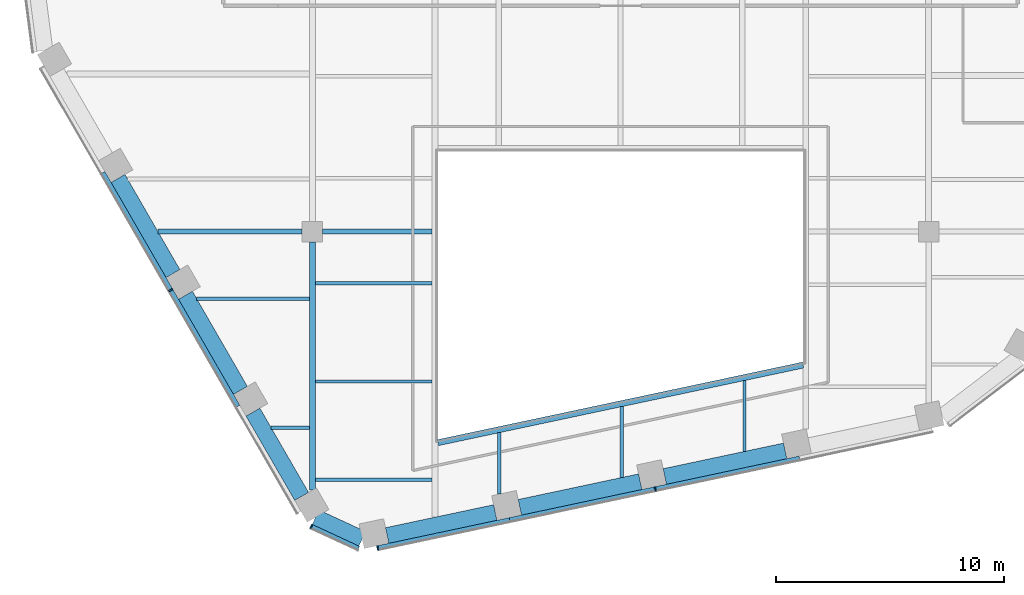
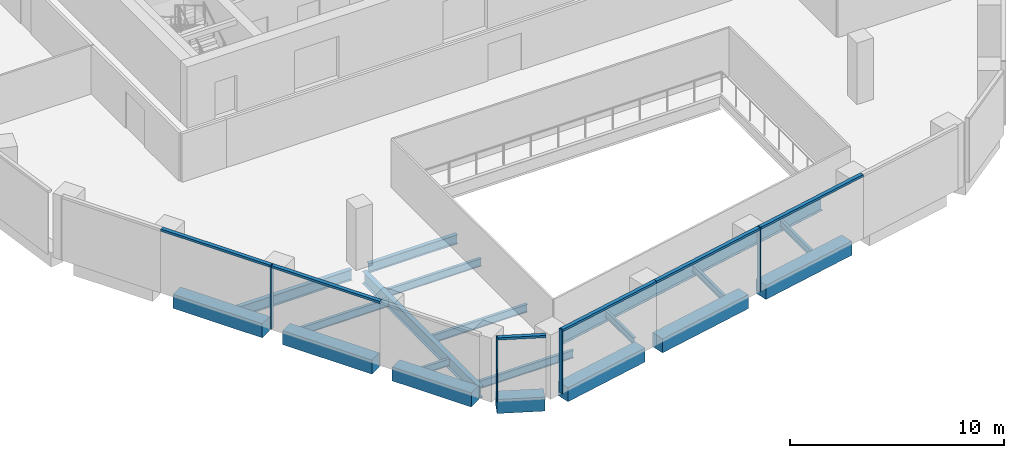
# One storey, part 2 of 15: 19 beams, 10 members, 3 elements without a shape of their own.
"""IFC4 building model written with IfcOpenShell, lengths in metres."""

import ifcopenshell
import ifcopenshell.guid

model = None  # the IFC model being written
_history = None  # IfcOwnerHistory: only IFC2X3 demands one
_inside = {}  # id of a spatial element -> (the spatial element, [elements in it])
_under = {}  # id of a project, library or spatial element -> (it, [spatial elements below it])
_declared = {}  # id of a project -> (the project, [libraries it declares])
_typed = {}  # id of a type object -> (the type object, [elements of that type])
_made_of = {}  # id of a material, layer set ... -> (it, [elements and type objects made of it])


def new_model(schema):
    """Start an empty IFC model of exactly this schema.

    Asked for "IFC4X3", IfcOpenShell would pick the latest addendum, in which some entities
    have other attributes; the version numbers below select the first issue.
    IFC2X3 requires an IfcOwnerHistory on every rooted entity: one is made here for all.
    """
    global model, _history
    if schema == "IFC4X3":
        model = ifcopenshell.file(schema_version=(4, 3, 0, 0))
    else:
        model = ifcopenshell.file(schema=schema)
    _inside.clear()
    _under.clear()
    _declared.clear()
    _typed.clear()
    _made_of.clear()
    _history = None
    if model.schema == "IFC2X3":
        org = make("IfcOrganization", Name="unknown")
        user = make(
            "IfcPersonAndOrganization",
            ThePerson=make("IfcPerson", FamilyName="unknown"),
            TheOrganization=org,
        )
        app = make(
            "IfcApplication",
            ApplicationDeveloper=org,
            Version="unknown",
            ApplicationFullName="unknown",
            ApplicationIdentifier="unknown",
        )
        _history = make(
            "IfcOwnerHistory",
            OwningUser=user,
            OwningApplication=app,
            ChangeAction="ADDED",
            CreationDate=0,
        )
    return model


def make(cls, **values):
    """One entity of the class cls with the attributes given. An attribute that is None is left unset."""
    return model.create_entity(
        cls, **{name: value for name, value in values.items() if value is not None}
    )


def rooted(cls, **values):
    """An entity with a GlobalId (a new one), such as an element, a storey or a relation."""
    return make(cls, GlobalId=ifcopenshell.guid.new(), OwnerHistory=_history, **values)


def si_unit(unit_type, name, prefix=None):
    """IfcSIUnit, for example si_unit("LENGTHUNIT", "METRE", prefix="MILLI")."""
    return make("IfcSIUnit", UnitType=unit_type, Prefix=prefix, Name=name)


def assignment(units):
    """IfcUnitAssignment: the units of a project."""
    return None if units is None else make("IfcUnitAssignment", Units=units)


def point(xyz):
    """IfcCartesianPoint."""
    return None if xyz is None else make("IfcCartesianPoint", Coordinates=xyz)


def direction(xyz):
    """IfcDirection."""
    return None if xyz is None else make("IfcDirection", DirectionRatios=xyz)


def frame(location, z_axis=None, x_axis=None):
    """IfcAxis2Placement3D, a coordinate frame: its origin and axes. An axis left out is left unset."""
    return make(
        "IfcAxis2Placement3D",
        Location=point(location),
        Axis=direction(z_axis),
        RefDirection=direction(x_axis),
    )


def frame_2d(location, x_axis=None):
    """IfcAxis2Placement2D, a coordinate frame in the plane: its origin and x axis."""
    return make(
        "IfcAxis2Placement2D", Location=point(location), RefDirection=direction(x_axis)
    )


def origin():
    """The frame at (0, 0, 0) with its axes left unset."""
    return frame((0.0, 0.0, 0.0))


def origin_2d():
    """The frame at (0, 0) in the plane with its x axis left unset."""
    return frame_2d((0.0, 0.0))


def place(relative_to, where):
    """IfcLocalPlacement: puts the frame where relative to a parent placement (None: the world)."""
    return make(
        "IfcLocalPlacement", PlacementRelTo=relative_to, RelativePlacement=where
    )


def context(
    kind, dimensions, precision=None, world=None, true_north=None, identifier=None
):
    """IfcGeometricRepresentationContext, for example the 3D "Model" context."""
    return make(
        "IfcGeometricRepresentationContext",
        ContextIdentifier=identifier,
        ContextType=kind,
        CoordinateSpaceDimension=dimensions,
        Precision=precision,
        WorldCoordinateSystem=world,
        TrueNorth=true_north,
    )


def subcontext(parent, identifier, kind, view, scale=None):
    """IfcGeometricRepresentationSubContext, for example "Body" below "Model"."""
    return make(
        "IfcGeometricRepresentationSubContext",
        ContextIdentifier=identifier,
        ContextType=kind,
        ParentContext=parent,
        TargetScale=scale,
        TargetView=view,
    )


def project(units=None, contexts=None):
    """IfcProject with its units and contexts."""
    return rooted(
        "IfcProject",
        Name="project",
        RepresentationContexts=contexts,
        UnitsInContext=assignment(units),
    )


def spatial(cls, under=None, at=None, **own):
    """A site, building, storey or space (cls), placed at a placement, below another one or the project."""
    s = rooted(cls, ObjectPlacement=at, **own)
    if under is not None:
        _under.setdefault(under.id(), (under, []))[1].append(s)
    return s


def profile(cls, at=None, kind="AREA", **sizes):
    """A parametric profile (cls). Its sizes go by their IFC names, for example OverallWidth=200.0."""
    return make(cls, ProfileType=kind, Position=at, **sizes)


def rectangle(**sizes):
    """IfcRectangleProfileDef."""
    return profile("IfcRectangleProfileDef", **sizes)


def i_section(**sizes):
    """IfcIShapeProfileDef."""
    return profile("IfcIShapeProfileDef", **sizes)


def extrude(swept, where, along, depth):
    """IfcExtrudedAreaSolid: the profile swept, set in the frame where, extruded along a direction by depth."""
    return make(
        "IfcExtrudedAreaSolid",
        SweptArea=swept,
        Position=where,
        ExtrudedDirection=direction(along),
        Depth=depth,
    )


def shape(context_of_items, identifier, shape_type, items):
    """IfcShapeRepresentation: the items that make up one representation, for example the "Body"."""
    return make(
        "IfcShapeRepresentation",
        ContextOfItems=context_of_items,
        RepresentationIdentifier=identifier,
        RepresentationType=shape_type,
        Items=items,
    )


def material(Name=None, Category=None):
    """IfcMaterial."""
    return make("IfcMaterial", Name=Name, Category=Category)


def layer(
    of_material, thickness, ventilated=None, Name=None, Category=None, Priority=None
):
    """IfcMaterialLayer: one layer of a wall or slab, of a material (None: an air gap)."""
    return make(
        "IfcMaterialLayer",
        Material=of_material,
        LayerThickness=thickness,
        IsVentilated=ventilated,
        Name=Name,
        Category=Category,
        Priority=Priority,
    )


def layer_set(layers, Name=None):
    """IfcMaterialLayerSet."""
    return make("IfcMaterialLayerSet", MaterialLayers=layers, LayerSetName=Name)


def material_profile(
    of_material, cross_section, Name=None, Category=None, Priority=None
):
    """IfcMaterialProfile: a cross section and its material."""
    return make(
        "IfcMaterialProfile",
        Name=Name,
        Material=of_material,
        Profile=cross_section,
        Priority=Priority,
        Category=Category,
    )


def profile_set(profiles, Name=None, composite=None):
    """IfcMaterialProfileSet."""
    return make(
        "IfcMaterialProfileSet",
        Name=Name,
        MaterialProfiles=profiles,
        CompositeProfile=composite,
    )


def made_of(thing, what):
    """Note that an element or type object is made of a material, layer set ...; save() writes the relation."""
    if what is not None:
        _made_of.setdefault(what.id(), (what, []))[1].append(thing)
    return thing


def type_object(cls, material=None, **own):
    """A type object (cls), such as IfcWallType, which elements share."""
    return made_of(rooted(cls, **own), material)


def element(
    cls,
    number,
    at=None,
    inside=None,
    cuts=None,
    type_object=None,
    material=None,
    context=None,
    identifier="Body",
    shape_type=None,
    held_by="IfcProductDefinitionShape",
    body=None,
    shapes=None,
    **own,
):
    """One element of the class cls, such as IfcWall. Its Tag is "e" and its number.

    at: its placement. inside: the storey or other place that contains it. cuts: it is an
    opening in that element (IfcRelVoidsElement). A single representation is given by context,
    identifier, shape_type and body (its items); several are given by shapes. held_by: the class
    of the entity that holds the representations. save() writes the other relations.
    """
    e = rooted(cls, Tag="e%d" % number, ObjectPlacement=at, **own)
    if body is not None:
        shapes = [shape(context, identifier, shape_type, body)]
    if shapes is not None:
        e.Representation = make(held_by, Representations=shapes)
    if inside is not None:
        _inside.setdefault(inside.id(), (inside, []))[1].append(e)
    if cuts is not None:
        rooted(
            "IfcRelVoidsElement", RelatingBuildingElement=cuts, RelatedOpeningElement=e
        )
    if type_object is not None:
        _typed.setdefault(type_object.id(), (type_object, []))[1].append(e)
    return made_of(e, material)


def aggregate(whole, parts):
    """IfcRelAggregates: a whole, such as a stair, and the parts it consists of."""
    return rooted("IfcRelAggregates", RelatingObject=whole, RelatedObjects=parts)


def save(model, path):
    """Write the relations noted so far, then the file.

    IfcRelAggregates (storeys below a building ...), IfcRelContainedInSpatialStructure (elements
    in a storey), IfcRelDefinesByType, IfcRelAssociatesMaterial and IfcRelDeclares: one each for
    every whole, place, type object, material and project.
    """
    for whole, parts in _under.values():
        aggregate(whole, parts)
    for where, things in _inside.values():
        rooted(
            "IfcRelContainedInSpatialStructure",
            RelatedElements=things,
            RelatingStructure=where,
        )
    for kind, things in _typed.values():
        rooted("IfcRelDefinesByType", RelatedObjects=things, RelatingType=kind)
    for what, things in _made_of.values():
        rooted("IfcRelAssociatesMaterial", RelatedObjects=things, RelatingMaterial=what)
    for by, libraries in _declared.values():
        rooted("IfcRelDeclares", RelatingContext=by, RelatedDefinitions=libraries)
    model.write(path)


model = new_model("IFC4")

# Units and contexts
model_context = context("Model", 3, precision=1e-05, world=origin(), true_north=direction((0.0, 1.0)))
body_context = subcontext(model_context, "Body", "Model", "MODEL_VIEW")
ifc_project = project(units=[si_unit("LENGTHUNIT", "METRE"), si_unit("AREAUNIT", "SQUARE_METRE"), si_unit("VOLUMEUNIT", "CUBIC_METRE"), si_unit("PLANEANGLEUNIT", "RADIAN"), si_unit("MASSUNIT", "GRAM", prefix="KILO")], contexts=[model_context])

# Site, building, storey
site_placement = place(None, origin())
site = spatial("IfcSite", under=ifc_project, at=site_placement, CompositionType="ELEMENT")
building_placement = place(site_placement, origin())
building = spatial("IfcBuilding", under=site, at=building_placement, Name="Isthmus Gate Tower", CompositionType="ELEMENT")
storey_placement = place(building_placement, frame((0.0, 0.0, 245.5)))
storey = spatial("IfcBuildingStorey", under=building, at=storey_placement, Name="L62", CompositionType="ELEMENT", Elevation=245.5)

# Curtain wall, member
ifc_material_1 = material(Name="Aluminium, pale champagne anodised", Category="aluminium")
ifc_layer = layer(ifc_material_1, 0.199951171875)
ifc_layer_set = layer_set([ifc_layer], Name="CW-1 UNITISED CURTAIN WALL 200 DEEP")
curtain_wall_type = type_object("IfcCurtainWallType", Name="CW-1 UNITISED CURTAIN WALL 200 DEEP", PredefinedType="NOTDEFINED", material=ifc_layer_set)
curtain_wall_1_placement = place(storey_placement, origin())
curtain_wall_1 = element("IfcCurtainWall", 1, at=curtain_wall_1_placement, inside=storey, type_object=curtain_wall_type, Name="CW-1 SW L62", PredefinedType="NOTDEFINED")
ifc_material_2 = material(Name="Aluminium, pale champagne anodised", Category="aluminium")
ifc_material_profile_1 = material_profile(ifc_material_2, rectangle(XDim=0.06005859375, YDim=0.199951171875, at=origin_2d()), Name="60x200")
ifc_profile_set_1 = profile_set([ifc_material_profile_1], Name="Aluminium, pale champagne anodised")
member_type_1 = type_object("IfcMemberType", Name="CW-1 MULLION 60 X 200", PredefinedType="MULLION", material=ifc_profile_set_1)
member_1_placement = place(storey_placement, frame((-19.707275390625, -16.066162109375, 0.0), z_axis=(0.0, 0.0, 1.0), x_axis=(0.5, -0.866025403784, 0.0)))
member_1 = element("IfcMember", 2, at=member_1_placement, type_object=member_type_1, Name="CW-1 mullion", PredefinedType="MULLION", context=body_context, shape_type="SweptSolid", body=[
    extrude(rectangle(XDim=0.06005859375, YDim=0.199951171875, at=origin_2d()), origin(), (0.0, 0.0, 1.0), 3.64990234375),
])

curtain_wall_2_placement = place(storey_placement, origin())
curtain_wall_2 = element("IfcCurtainWall", 3, at=curtain_wall_2_placement, inside=storey, type_object=curtain_wall_type, Name="CW-1 SW-S L62", PredefinedType="NOTDEFINED")
member_2_placement = place(storey_placement, frame((-13.54833984375, -26.419677734375, 0.0), z_axis=(0.0, 0.0, 1.0), x_axis=(0.907256261367, -0.420578264073, 0.0)))
member_2 = element("IfcMember", 4, at=member_2_placement, type_object=member_type_1, Name="CW-1 mullion", PredefinedType="MULLION", context=body_context, shape_type="SweptSolid", body=[
    extrude(rectangle(XDim=0.06005859375, YDim=0.199951171875, at=origin_2d()), origin(), (0.0, 0.0, 1.0), 3.64990234375),
])

# Curtain wall, members
curtain_wall_3_placement = place(storey_placement, origin())
curtain_wall_3 = element("IfcCurtainWall", 5, at=curtain_wall_3_placement, inside=storey, type_object=curtain_wall_type, Name="CW-1 S L62", PredefinedType="NOTDEFINED")
member_3_placement = place(storey_placement, frame((-10.6376953125, -27.36328125, 0.0), z_axis=(0.0, 0.0, 1.0), x_axis=(0.978147600734, 0.207911690818, 0.0)))
member_3 = element("IfcMember", 6, at=member_3_placement, type_object=member_type_1, Name="CW-1 mullion", PredefinedType="MULLION", context=body_context, shape_type="SweptSolid", body=[
    extrude(rectangle(XDim=0.06005859375, YDim=0.199951171875, at=origin_2d()), origin(), (0.0, 0.0, 1.0), 3.64990234375),
])
member_4_placement = place(storey_placement, frame((1.5244140625, -24.7783203125, 0.0), z_axis=(0.0, 0.0, 1.0), x_axis=(0.978147600734, 0.207911690818, 0.0)))
member_4 = element("IfcMember", 7, at=member_4_placement, type_object=member_type_1, Name="CW-1 mullion", PredefinedType="MULLION", context=body_context, shape_type="SweptSolid", body=[
    extrude(rectangle(XDim=0.06005859375, YDim=0.199951171875, at=origin_2d()), origin(), (0.0, 0.0, 1.0), 3.64990234375),
])

# Member
ifc_material_3 = material(Name="Aluminium, pale champagne anodised", Category="aluminium")
ifc_material_profile_2 = material_profile(ifc_material_3, rectangle(XDim=0.199951171875, YDim=0.1298828125, at=origin_2d()), Name="200x130")
ifc_profile_set_2 = profile_set([ifc_material_profile_2], Name="Aluminium, pale champagne anodised")
member_type_2 = type_object("IfcMemberType", Name="CW-1 TRANSOM 200 X 130", PredefinedType="USERDEFINED", material=ifc_profile_set_2)
member_5_placement = place(storey_placement, frame((-22.677490234375, -10.92138671875, 3.5849609375), z_axis=(0.500008496284, -0.866020498397, 0.0), x_axis=(0.866020498397, 0.500008496284, 0.0)))
member_5 = element("IfcMember", 8, at=member_5_placement, type_object=member_type_2, Name="CW-1 transom", ObjectType="TRANSOM", PredefinedType="USERDEFINED", context=body_context, shape_type="SweptSolid", body=[
    extrude(rectangle(XDim=0.199951171875, YDim=0.1298828125, at=origin_2d()), origin(), (0.0, 0.0, 1.0), 5.91064453125),
])

member_6_placement = place(storey_placement, frame((-19.692138671875, -16.092041015625, 3.5849609375), z_axis=(0.49998975084, -0.866031321059, 0.0), x_axis=(0.866031321059, 0.49998975084, 0.0)))
member_6 = element("IfcMember", 9, at=member_6_placement, type_object=member_type_2, Name="CW-1 transom", ObjectType="TRANSOM", PredefinedType="USERDEFINED", context=body_context, shape_type="SweptSolid", body=[
    extrude(rectangle(XDim=0.199951171875, YDim=0.1298828125, at=origin_2d()), origin(), (0.0, 0.0, 1.0), 5.8505859375),
])

aggregate(curtain_wall_1, [member_5, member_1, member_6])

member_7_placement = place(storey_placement, frame((-13.521240234375, -26.432373046875, 3.5849609375), z_axis=(0.907246225564, -0.420599912268, 0.0), x_axis=(0.420599912268, 0.907246225564, 0.0)))
member_7 = element("IfcMember", 10, at=member_7_placement, type_object=member_type_2, Name="CW-1 transom", ObjectType="TRANSOM", PredefinedType="USERDEFINED", context=body_context, shape_type="SweptSolid", body=[
    extrude(rectangle(XDim=0.199951171875, YDim=0.1298828125, at=origin_2d()), origin(), (0.0, 0.0, 1.0), 2.258544921875),
])

aggregate(curtain_wall_2, [member_2, member_7])

member_8_placement = place(storey_placement, frame((-10.6083984375, -27.357177734375, 3.5849609375), z_axis=(0.978148511799, 0.207907404549, 0.0), x_axis=(-0.207907404549, 0.978148511799, 0.0)))
member_8 = element("IfcMember", 11, at=member_8_placement, type_object=member_type_2, Name="CW-1 transom", ObjectType="TRANSOM", PredefinedType="USERDEFINED", context=body_context, shape_type="SweptSolid", body=[
    extrude(rectangle(XDim=0.199951171875, YDim=0.1298828125, at=origin_2d()), origin(), (0.0, 0.0, 1.0), 5.8818359375),
])

member_9_placement = place(storey_placement, frame((-4.85498046875, -26.13427734375, 3.5849609375), z_axis=(0.978142886198, 0.207933869729, 0.0), x_axis=(-0.207933869729, 0.978142886198, 0.0)))
member_9 = element("IfcMember", 12, at=member_9_placement, type_object=member_type_2, Name="CW-1 transom", ObjectType="TRANSOM", PredefinedType="USERDEFINED", context=body_context, shape_type="SweptSolid", body=[
    extrude(rectangle(XDim=0.199951171875, YDim=0.1298828125, at=origin_2d()), origin(), (0.0, 0.0, 1.0), 6.49169921875),
])

member_10_placement = place(storey_placement, frame((1.5537109375, -24.77197265625, 3.5849609375), z_axis=(0.978150457162, 0.207898251926, 0.0), x_axis=(-0.207898251926, 0.978150457162, 0.0)))
member_10 = element("IfcMember", 13, at=member_10_placement, type_object=member_type_2, Name="CW-1 transom", ObjectType="TRANSOM", PredefinedType="USERDEFINED", context=body_context, shape_type="SweptSolid", body=[
    extrude(rectangle(XDim=0.199951171875, YDim=0.1298828125, at=origin_2d()), origin(), (0.0, 0.0, 1.0), 6.431884765625),
])

aggregate(curtain_wall_3, [member_3, member_8, member_9, member_4, member_10])

# Beams
ifc_material_4 = material(Name="Concrete f'c 50 MPa", Category="concrete")
ifc_material_profile_3 = material_profile(ifc_material_4, rectangle(XDim=0.699951171875, YDim=0.800048828125, at=origin_2d()), Name="RC 700X800")
ifc_profile_set_3 = profile_set([ifc_material_profile_3], Name="Concrete f'c 50 MPa")
beam_type_1 = type_object("IfcBeamType", Name="RC SPANDREL 700 X 800", PredefinedType="SPANDREL", material=ifc_profile_set_3)
for number, where, z_axis, x_axis, name in (
    (14, (7.21337890625, -23.10888671875, -0.39990234375), (-0.978144348563, -0.207926990492, 0.0), (0.207926990492, -0.978144348563, 0.0), "str-spandrel-L62-12"),
    (15, (0.863525390625, -24.458740234375, -0.39990234375), (-0.978155513612, -0.207874460167, 0.0), (0.207874460167, -0.978155513612, 0.0), "str-spandrel-L62-13"),
):
    element("IfcBeam", number, at=place(storey_placement, frame(where, z_axis=z_axis, x_axis=x_axis)), inside=storey, type_object=beam_type_1, Name=name, PredefinedType="SPANDREL", context=body_context, shape_type="SweptSolid", body=[
        extrude(rectangle(XDim=0.699951171875, YDim=0.800048828125, at=origin_2d()), origin(), (0.0, 0.0, 1.0), 5.391845703125),
    ])
beam_1_placement = place(storey_placement, frame((-5.486572265625, -25.808349609375, -0.39990234375), z_axis=(-0.978141291228, -0.207941372495, 0.0), x_axis=(0.207941372495, -0.978141291228, 0.0)))
element("IfcBeam", 16, at=beam_1_placement, inside=storey, type_object=beam_type_1, Name="str-spandrel-L62-14", PredefinedType="SPANDREL", context=body_context, shape_type="SweptSolid", body=[
    extrude(rectangle(XDim=0.699951171875, YDim=0.800048828125, at=origin_2d()), origin(), (0.0, 0.0, 1.0), 4.842041015625),
])
beam_2_placement = place(storey_placement, frame((-11.31689453125, -26.958251953125, -0.39990234375), z_axis=(-0.907254968276, 0.42058105347, 0.0), x_axis=(-0.42058105347, -0.907254968276, 0.0)))
element("IfcBeam", 17, at=beam_2_placement, inside=storey, type_object=beam_type_1, Name="str-spandrel-L62-15", PredefinedType="SPANDREL", context=body_context, shape_type="SweptSolid", body=[
    extrude(rectangle(XDim=0.699951171875, YDim=0.800048828125, at=origin_2d()), origin(), (0.0, 0.0, 1.0), 2.245849609375),
])
beam_3_placement = place(storey_placement, frame((-13.971923828125, -25.10009765625, -0.39990234375), z_axis=(-0.499996907167, 0.866027189425, 0.0), x_axis=(-0.866027189425, -0.499996907167, 0.0)))
element("IfcBeam", 18, at=beam_3_placement, inside=storey, type_object=beam_type_1, Name="str-spandrel-L62-16", PredefinedType="SPANDREL", context=body_context, shape_type="SweptSolid", body=[
    extrude(rectangle(XDim=0.699951171875, YDim=0.800048828125, at=origin_2d()), origin(), (0.0, 0.0, 1.0), 4.2607421875),
])
for number, where, z_axis, x_axis, name in (
    (19, (-16.652099609375, -20.45751953125, -0.39990234375), (-0.500003616288, 0.866023315909, 0.0), (-0.866023315909, -0.500003616288, 0.0), "str-spandrel-L62-17"),
    (20, (-19.607421875, -15.3388671875, -0.39990234375), (-0.500003616288, 0.866023315909, 0.0), (-0.866023315909, -0.500003616288, 0.0), "str-spandrel-L62-18"),
):
    element("IfcBeam", number, at=place(storey_placement, frame(where, z_axis=z_axis, x_axis=x_axis)), inside=storey, type_object=beam_type_1, Name=name, PredefinedType="SPANDREL", context=body_context, shape_type="SweptSolid", body=[
        extrude(rectangle(XDim=0.699951171875, YDim=0.800048828125, at=origin_2d()), origin(), (0.0, 0.0, 1.0), 4.810546875),
    ])
ifc_material_5 = material(Name="Structural steel ASTM A992 Gr 50", Category="steel")
ifc_material_profile_4 = material_profile(ifc_material_5, i_section(OverallWidth=0.1396484375, OverallDepth=0.4033203125, WebThickness=0.00634765625, FlangeThickness=0.010986328125, at=origin_2d()), Name="W16X31")
ifc_profile_set_4 = profile_set([ifc_material_profile_4], Name="Structural steel ASTM A992 Gr 50")
beam_type_2 = type_object("IfcBeamType", Name="STEEL FLOOR BEAM W16X31", PredefinedType="JOIST", material=ifc_profile_set_4)
beam_4_placement = place(storey_placement, frame((-15.30126953125, -22.097412109375, -0.3515625), z_axis=(1.0, 0.0, 0.0), x_axis=(0.0, 1.0, 0.0)))
element("IfcBeam", 21, at=beam_4_placement, inside=storey, type_object=beam_type_2, Name="str-beam-L62-02-00", PredefinedType="JOIST", context=body_context, shape_type="SweptSolid", body=[
    extrude(i_section(OverallWidth=0.1396484375, OverallDepth=0.4033203125, WebThickness=0.00634765625, FlangeThickness=0.010986328125, at=origin_2d()), origin(), (0.0, 0.0, 1.0), 1.67431640625),
])
beam_5_placement = place(storey_placement, frame((-5.314208984375, -25.005126953125, -0.3515625), z_axis=(0.0, 1.0, 0.0), x_axis=(-1.0, 0.0, 0.0)))
element("IfcBeam", 22, at=beam_5_placement, inside=storey, type_object=beam_type_2, Name="str-beam-L62-06-00", PredefinedType="JOIST", context=body_context, shape_type="SweptSolid", body=[
    extrude(i_section(OverallWidth=0.1396484375, OverallDepth=0.4033203125, WebThickness=0.00634765625, FlangeThickness=0.010986328125, at=origin_2d()), origin(), (0.0, 0.0, 1.0), 2.692138671875),
])
for number, where, z_axis, x_axis, name in (
    (23, (0.05712890625, -24.272216796875, -0.3515625), (0.0, 1.0, 0.0), (-1.0, 0.0, 0.0), "str-beam-L62-06-01"),
    (24, (5.428466796875, -23.13037109375, -0.3515625), (0.0, 1.0, 0.0), (-1.0, 0.0, 0.0), "str-beam-L62-06-02"),
):
    element("IfcBeam", number, at=place(storey_placement, frame(where, z_axis=z_axis, x_axis=x_axis)), inside=storey, type_object=beam_type_2, Name=name, PredefinedType="JOIST", context=body_context, shape_type="SweptSolid", body=[
        extrude(i_section(OverallWidth=0.1396484375, OverallDepth=0.4033203125, WebThickness=0.00634765625, FlangeThickness=0.010986328125, at=origin_2d()), origin(), (0.0, 0.0, 1.0), 3.10107421875),
    ])
ifc_material_6 = material(Name="Structural steel ASTM A992 Gr 50", Category="steel")
ifc_material_profile_5 = material_profile(ifc_material_6, i_section(OverallWidth=0.15234375, OverallDepth=0.45068359375, WebThickness=0.0078125, FlangeThickness=0.010986328125, at=origin_2d()), Name="W18X35")
ifc_profile_set_5 = profile_set([ifc_material_profile_5], Name="Structural steel ASTM A992 Gr 50")
beam_type_3 = type_object("IfcBeamType", Name="STEEL FLOOR BEAM W18X35", PredefinedType="JOIST", material=ifc_profile_set_5)
beam_6_placement = place(storey_placement, frame((-18.56640625, -16.44189453125, -0.37548828125), z_axis=(1.0, 0.0, 0.0), x_axis=(0.0, 1.0, 0.0)))
element("IfcBeam", 25, at=beam_6_placement, inside=storey, type_object=beam_type_3, Name="str-beam-L62-02-01", PredefinedType="JOIST", context=body_context, shape_type="SweptSolid", body=[
    extrude(i_section(OverallWidth=0.15234375, OverallDepth=0.45068359375, WebThickness=0.0078125, FlangeThickness=0.010986328125, at=origin_2d()), origin(), (0.0, 0.0, 1.0), 4.939453125),
])
for number, where, z_axis, x_axis, name in (
    (26, (-13.373046875, -24.3759765625, -0.37548828125), (1.0, 0.0, 0.0), (0.0, 1.0, 0.0), "str-beam-L62-04-00"),
    (27, (-13.373046875, -20.0673828125, -0.37548828125), (1.0, 0.0, 0.0), (0.0, 1.0, 0.0), "str-beam-L62-04-01"),
    (28, (-13.373046875, -15.759033203125, -0.37548828125), (1.0, 0.0, 0.0), (0.0, 1.0, 0.0), "str-beam-L62-04-02"),
):
    element("IfcBeam", number, at=place(storey_placement, frame(where, z_axis=z_axis, x_axis=x_axis)), inside=storey, type_object=beam_type_3, Name=name, PredefinedType="JOIST", context=body_context, shape_type="SweptSolid", body=[
        extrude(i_section(OverallWidth=0.15234375, OverallDepth=0.45068359375, WebThickness=0.0078125, FlangeThickness=0.010986328125, at=origin_2d()), origin(), (0.0, 0.0, 1.0), 5.109619140625),
    ])
ifc_material_7 = material(Name="Structural steel ASTM A992 Gr 50", Category="steel")
ifc_material_profile_6 = material_profile(ifc_material_7, i_section(OverallWidth=0.20947265625, OverallDepth=0.533447265625, WebThickness=0.009521484375, FlangeThickness=0.015869140625, at=origin_2d()), Name="W21X62")
ifc_profile_set_6 = profile_set([ifc_material_profile_6], Name="Structural steel ASTM A992 Gr 50")
beam_type_4 = type_object("IfcBeamType", Name="STEEL GIRDER W21X62", PredefinedType="BEAM", material=ifc_profile_set_6)
beam_7_placement = place(storey_placement, frame((-13.050048828125, -13.5, -0.416748046875), z_axis=(1.0, 0.0, 0.0), x_axis=(0.0, 1.0, 0.0)))
element("IfcBeam", 29, at=beam_7_placement, inside=storey, type_object=beam_type_4, Name="str-girder-L62-02", PredefinedType="BEAM", context=body_context, shape_type="SweptSolid", body=[
    extrude(i_section(OverallWidth=0.20947265625, OverallDepth=0.533447265625, WebThickness=0.009521484375, FlangeThickness=0.015869140625, at=origin_2d()), origin(), (0.0, 0.0, 1.0), 4.78662109375),
])
ifc_material_8 = material(Name="Structural steel ASTM A992 Gr 50", Category="steel")
ifc_material_profile_7 = material_profile(ifc_material_8, i_section(OverallWidth=0.228515625, OverallDepth=0.603271484375, WebThickness=0.010986328125, FlangeThickness=0.014404296875, at=origin_2d()), Name="W24X68")
ifc_profile_set_7 = profile_set([ifc_material_profile_7], Name="Structural steel ASTM A992 Gr 50")
beam_type_5 = type_object("IfcBeamType", Name="STEEL GIRDER W24X68", PredefinedType="BEAM", material=ifc_profile_set_7)
beam_8_placement = place(storey_placement, frame((-20.264892578125, -13.5, -0.45166015625), z_axis=(1.0, 0.0, 0.0), x_axis=(0.0, 1.0, 0.0)))
element("IfcBeam", 30, at=beam_8_placement, inside=storey, type_object=beam_type_5, Name="str-girder-L62-01", PredefinedType="BEAM", context=body_context, shape_type="SweptSolid", body=[
    extrude(i_section(OverallWidth=0.228515625, OverallDepth=0.603271484375, WebThickness=0.010986328125, FlangeThickness=0.014404296875, at=origin_2d()), origin(), (0.0, 0.0, 1.0), 6.31494140625),
])
ifc_material_9 = material(Name="Structural steel ASTM A992 Gr 50", Category="steel")
ifc_material_profile_8 = material_profile(ifc_material_9, i_section(OverallWidth=0.25390625, OverallDepth=0.679443359375, WebThickness=0.010986328125, FlangeThickness=0.015869140625, at=origin_2d()), Name="W27X84")
ifc_profile_set_8 = profile_set([ifc_material_profile_8], Name="Structural steel ASTM A992 Gr 50")
beam_type_6 = type_object("IfcBeamType", Name="STEEL GIRDER W27X84", PredefinedType="BEAM", material=ifc_profile_set_8)
beam_9_placement = place(storey_placement, frame((-13.5, -24.82763671875, -0.48974609375), z_axis=(0.0, 1.0, 0.0), x_axis=(-1.0, 0.0, 0.0)))
element("IfcBeam", 31, at=beam_9_placement, inside=storey, type_object=beam_type_6, Name="str-girder-L62-05", PredefinedType="BEAM", context=body_context, shape_type="SweptSolid", body=[
    extrude(i_section(OverallWidth=0.25390625, OverallDepth=0.679443359375, WebThickness=0.010986328125, FlangeThickness=0.015869140625, at=origin_2d()), origin(), (0.0, 0.0, 1.0), 10.877685546875),
])
ifc_material_10 = material(Name="Structural steel ASTM A992 Gr 50", Category="steel")
ifc_material_profile_9 = material_profile(ifc_material_10, i_section(OverallWidth=0.2666015625, OverallDepth=0.7587890625, WebThickness=0.014404296875, FlangeThickness=0.01904296875, at=origin_2d()), Name="W30X108")
ifc_profile_set_9 = profile_set([ifc_material_profile_9], Name="Structural steel ASTM A992 Gr 50")
beam_type_7 = type_object("IfcBeamType", Name="STEEL TRIMMER W30X108", PredefinedType="BEAM", material=ifc_profile_set_9)
beam_10_placement = place(storey_placement, frame((-8.0, -22.747314453125, -0.529296875), z_axis=(0.978147924985, 0.20791016533, 0.0), x_axis=(-0.20791016533, 0.978147924985, 0.0)))
element("IfcBeam", 32, at=beam_10_placement, inside=storey, type_object=beam_type_7, Name="str-trimmer-L62-03", PredefinedType="BEAM", context=body_context, shape_type="SweptSolid", body=[
    extrude(i_section(OverallWidth=0.2666015625, OverallDepth=0.7587890625, WebThickness=0.014404296875, FlangeThickness=0.01904296875, at=origin_2d()), origin(), (0.0, 0.0, 1.0), 16.357421875),
])

save(model, "model.ifc")
